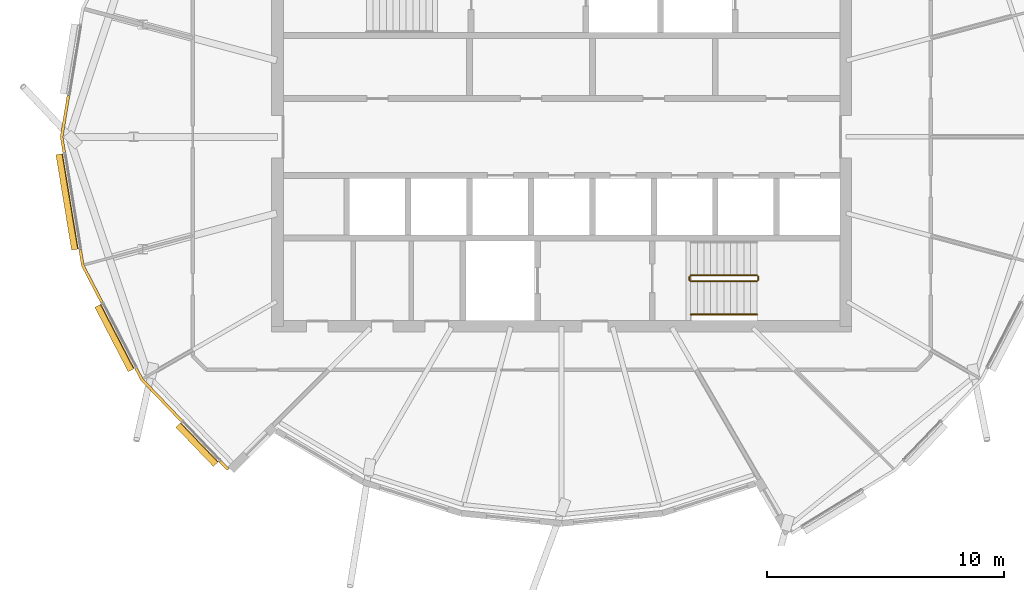
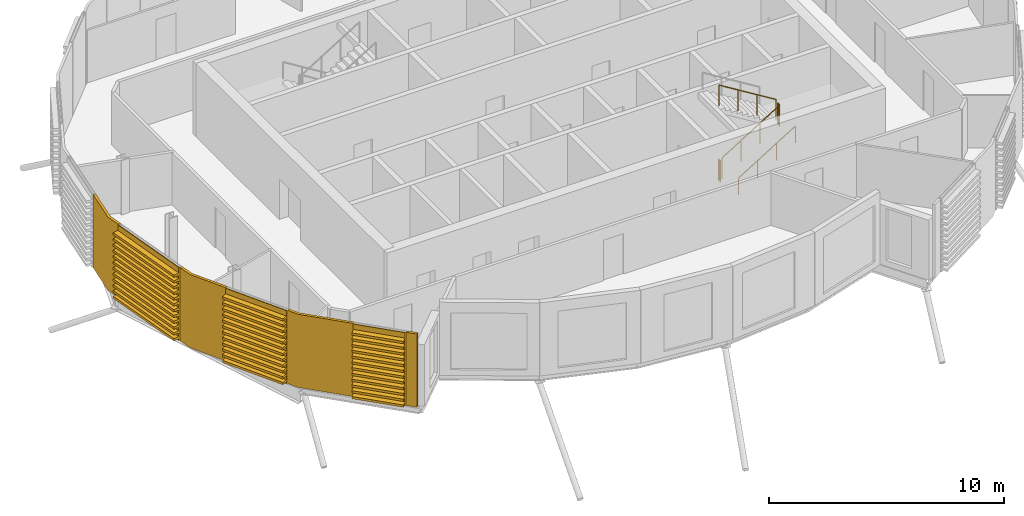
# One storey, part 35 of 41: 7 coverings, 5 railings.
"""IFC4 building model written with IfcOpenShell, lengths in metres."""

import ifcopenshell
import ifcopenshell.guid

model = None  # the IFC model being written
_history = None  # IfcOwnerHistory: only IFC2X3 demands one
_inside = {}  # id of a spatial element -> (the spatial element, [elements in it])
_under = {}  # id of a project, library or spatial element -> (it, [spatial elements below it])
_declared = {}  # id of a project -> (the project, [libraries it declares])
_typed = {}  # id of a type object -> (the type object, [elements of that type])
_made_of = {}  # id of a material, layer set ... -> (it, [elements and type objects made of it])


def new_model(schema):
    """Start an empty IFC model of exactly this schema.

    Asked for "IFC4X3", IfcOpenShell would pick the latest addendum, in which some entities
    have other attributes; the version numbers below select the first issue.
    IFC2X3 requires an IfcOwnerHistory on every rooted entity: one is made here for all.
    """
    global model, _history
    if schema == "IFC4X3":
        model = ifcopenshell.file(schema_version=(4, 3, 0, 0))
    else:
        model = ifcopenshell.file(schema=schema)
    _inside.clear()
    _under.clear()
    _declared.clear()
    _typed.clear()
    _made_of.clear()
    _history = None
    if model.schema == "IFC2X3":
        org = make("IfcOrganization", Name="unknown")
        user = make(
            "IfcPersonAndOrganization",
            ThePerson=make("IfcPerson", FamilyName="unknown"),
            TheOrganization=org,
        )
        app = make(
            "IfcApplication",
            ApplicationDeveloper=org,
            Version="unknown",
            ApplicationFullName="unknown",
            ApplicationIdentifier="unknown",
        )
        _history = make(
            "IfcOwnerHistory",
            OwningUser=user,
            OwningApplication=app,
            ChangeAction="ADDED",
            CreationDate=0,
        )
    return model


def make(cls, **values):
    """One entity of the class cls with the attributes given. An attribute that is None is left unset."""
    return model.create_entity(
        cls, **{name: value for name, value in values.items() if value is not None}
    )


def rooted(cls, **values):
    """An entity with a GlobalId (a new one), such as an element, a storey or a relation."""
    return make(cls, GlobalId=ifcopenshell.guid.new(), OwnerHistory=_history, **values)


def si_unit(unit_type, name, prefix=None):
    """IfcSIUnit, for example si_unit("LENGTHUNIT", "METRE", prefix="MILLI")."""
    return make("IfcSIUnit", UnitType=unit_type, Prefix=prefix, Name=name)


def assignment(units):
    """IfcUnitAssignment: the units of a project."""
    return None if units is None else make("IfcUnitAssignment", Units=units)


def point(xyz):
    """IfcCartesianPoint."""
    return None if xyz is None else make("IfcCartesianPoint", Coordinates=xyz)


def direction(xyz):
    """IfcDirection."""
    return None if xyz is None else make("IfcDirection", DirectionRatios=xyz)


def frame(location, z_axis=None, x_axis=None):
    """IfcAxis2Placement3D, a coordinate frame: its origin and axes. An axis left out is left unset."""
    return make(
        "IfcAxis2Placement3D",
        Location=point(location),
        Axis=direction(z_axis),
        RefDirection=direction(x_axis),
    )


def frame_2d(location, x_axis=None):
    """IfcAxis2Placement2D, a coordinate frame in the plane: its origin and x axis."""
    return make(
        "IfcAxis2Placement2D", Location=point(location), RefDirection=direction(x_axis)
    )


def origin():
    """The frame at (0, 0, 0) with its axes left unset."""
    return frame((0.0, 0.0, 0.0))


def origin_2d():
    """The frame at (0, 0) in the plane with its x axis left unset."""
    return frame_2d((0.0, 0.0))


def place(relative_to, where):
    """IfcLocalPlacement: puts the frame where relative to a parent placement (None: the world)."""
    return make(
        "IfcLocalPlacement", PlacementRelTo=relative_to, RelativePlacement=where
    )


def context(
    kind, dimensions, precision=None, world=None, true_north=None, identifier=None
):
    """IfcGeometricRepresentationContext, for example the 3D "Model" context."""
    return make(
        "IfcGeometricRepresentationContext",
        ContextIdentifier=identifier,
        ContextType=kind,
        CoordinateSpaceDimension=dimensions,
        Precision=precision,
        WorldCoordinateSystem=world,
        TrueNorth=true_north,
    )


def subcontext(parent, identifier, kind, view, scale=None):
    """IfcGeometricRepresentationSubContext, for example "Body" below "Model"."""
    return make(
        "IfcGeometricRepresentationSubContext",
        ContextIdentifier=identifier,
        ContextType=kind,
        ParentContext=parent,
        TargetScale=scale,
        TargetView=view,
    )


def project(units=None, contexts=None):
    """IfcProject with its units and contexts."""
    return rooted(
        "IfcProject",
        Name="project",
        RepresentationContexts=contexts,
        UnitsInContext=assignment(units),
    )


def spatial(cls, under=None, at=None, **own):
    """A site, building, storey or space (cls), placed at a placement, below another one or the project."""
    s = rooted(cls, ObjectPlacement=at, **own)
    if under is not None:
        _under.setdefault(under.id(), (under, []))[1].append(s)
    return s


def polyline(points):
    """IfcPolyline through the points."""
    return make("IfcPolyline", Points=[point(p) for p in points])


def profile(cls, at=None, kind="AREA", **sizes):
    """A parametric profile (cls). Its sizes go by their IFC names, for example OverallWidth=200.0."""
    return make(cls, ProfileType=kind, Position=at, **sizes)


def circle(**sizes):
    """IfcCircleProfileDef."""
    return profile("IfcCircleProfileDef", **sizes)


def outline(outer, holes=None, kind="AREA"):
    """IfcArbitraryClosedProfileDef: a profile drawn as a closed curve; with holes, ...WithVoids."""
    if holes is None:
        return make("IfcArbitraryClosedProfileDef", ProfileType=kind, OuterCurve=outer)
    return make(
        "IfcArbitraryProfileDefWithVoids",
        ProfileType=kind,
        OuterCurve=outer,
        InnerCurves=holes,
    )


def extrude(swept, where, along, depth):
    """IfcExtrudedAreaSolid: the profile swept, set in the frame where, extruded along a direction by depth."""
    return make(
        "IfcExtrudedAreaSolid",
        SweptArea=swept,
        Position=where,
        ExtrudedDirection=direction(along),
        Depth=depth,
    )


def shape(context_of_items, identifier, shape_type, items):
    """IfcShapeRepresentation: the items that make up one representation, for example the "Body"."""
    return make(
        "IfcShapeRepresentation",
        ContextOfItems=context_of_items,
        RepresentationIdentifier=identifier,
        RepresentationType=shape_type,
        Items=items,
    )


def material(Name=None, Category=None):
    """IfcMaterial."""
    return make("IfcMaterial", Name=Name, Category=Category)


def layer(
    of_material, thickness, ventilated=None, Name=None, Category=None, Priority=None
):
    """IfcMaterialLayer: one layer of a wall or slab, of a material (None: an air gap)."""
    return make(
        "IfcMaterialLayer",
        Material=of_material,
        LayerThickness=thickness,
        IsVentilated=ventilated,
        Name=Name,
        Category=Category,
        Priority=Priority,
    )


def layer_set(layers, Name=None):
    """IfcMaterialLayerSet."""
    return make("IfcMaterialLayerSet", MaterialLayers=layers, LayerSetName=Name)


def material_profile(
    of_material, cross_section, Name=None, Category=None, Priority=None
):
    """IfcMaterialProfile: a cross section and its material."""
    return make(
        "IfcMaterialProfile",
        Name=Name,
        Material=of_material,
        Profile=cross_section,
        Priority=Priority,
        Category=Category,
    )


def profile_set(profiles, Name=None, composite=None):
    """IfcMaterialProfileSet."""
    return make(
        "IfcMaterialProfileSet",
        Name=Name,
        MaterialProfiles=profiles,
        CompositeProfile=composite,
    )


def made_of(thing, what):
    """Note that an element or type object is made of a material, layer set ...; save() writes the relation."""
    if what is not None:
        _made_of.setdefault(what.id(), (what, []))[1].append(thing)
    return thing


def type_object(cls, material=None, **own):
    """A type object (cls), such as IfcWallType, which elements share."""
    return made_of(rooted(cls, **own), material)


def element(
    cls,
    number,
    at=None,
    inside=None,
    cuts=None,
    type_object=None,
    material=None,
    context=None,
    identifier="Body",
    shape_type=None,
    held_by="IfcProductDefinitionShape",
    body=None,
    shapes=None,
    **own,
):
    """One element of the class cls, such as IfcWall. Its Tag is "e" and its number.

    at: its placement. inside: the storey or other place that contains it. cuts: it is an
    opening in that element (IfcRelVoidsElement). A single representation is given by context,
    identifier, shape_type and body (its items); several are given by shapes. held_by: the class
    of the entity that holds the representations. save() writes the other relations.
    """
    e = rooted(cls, Tag="e%d" % number, ObjectPlacement=at, **own)
    if body is not None:
        shapes = [shape(context, identifier, shape_type, body)]
    if shapes is not None:
        e.Representation = make(held_by, Representations=shapes)
    if inside is not None:
        _inside.setdefault(inside.id(), (inside, []))[1].append(e)
    if cuts is not None:
        rooted(
            "IfcRelVoidsElement", RelatingBuildingElement=cuts, RelatedOpeningElement=e
        )
    if type_object is not None:
        _typed.setdefault(type_object.id(), (type_object, []))[1].append(e)
    return made_of(e, material)


def aggregate(whole, parts):
    """IfcRelAggregates: a whole, such as a stair, and the parts it consists of."""
    return rooted("IfcRelAggregates", RelatingObject=whole, RelatedObjects=parts)


def save(model, path):
    """Write the relations noted so far, then the file.

    IfcRelAggregates (storeys below a building ...), IfcRelContainedInSpatialStructure (elements
    in a storey), IfcRelDefinesByType, IfcRelAssociatesMaterial and IfcRelDeclares: one each for
    every whole, place, type object, material and project.
    """
    for whole, parts in _under.values():
        aggregate(whole, parts)
    for where, things in _inside.values():
        rooted(
            "IfcRelContainedInSpatialStructure",
            RelatedElements=things,
            RelatingStructure=where,
        )
    for kind, things in _typed.values():
        rooted("IfcRelDefinesByType", RelatedObjects=things, RelatingType=kind)
    for what, things in _made_of.values():
        rooted("IfcRelAssociatesMaterial", RelatedObjects=things, RelatingMaterial=what)
    for by, libraries in _declared.values():
        rooted("IfcRelDeclares", RelatingContext=by, RelatedDefinitions=libraries)
    model.write(path)


model = new_model("IFC4")

# Units and contexts
model_context = context("Model", 3, precision=1e-05, world=origin(), true_north=direction((0.0, 1.0)))
body_context = subcontext(model_context, "Body", "Model", "MODEL_VIEW")
ifc_project = project(units=[si_unit("LENGTHUNIT", "METRE"), si_unit("AREAUNIT", "SQUARE_METRE"), si_unit("VOLUMEUNIT", "CUBIC_METRE"), si_unit("PLANEANGLEUNIT", "RADIAN"), si_unit("MASSUNIT", "GRAM", prefix="KILO")], contexts=[model_context])

# Site, building, storey
site_placement = place(None, origin())
site = spatial("IfcSite", under=ifc_project, at=site_placement, CompositionType="ELEMENT")
building_placement = place(site_placement, origin())
building = spatial("IfcBuilding", under=site, at=building_placement, Name="Rimbun Link Towers", CompositionType="ELEMENT")
storey_placement = place(building_placement, frame((0.0, 0.0, 214.300048828125)))
storey = spatial("IfcBuildingStorey", under=building, at=storey_placement, Name="L52", CompositionType="ELEMENT", Elevation=214.300048828125)

# Coverings
ifc_material_1 = material(Name="Terracotta", Category="masonry")
ifc_layer = layer(ifc_material_1, 0.1201171875)
ifc_layer_set = layer_set([ifc_layer], Name="LINK PIER terracotta cladding 120")
covering_type_1 = type_object("IfcCoveringType", Name="LINK PIER terracotta cladding 120", PredefinedType="CLADDING", material=ifc_layer_set)
covering_1_placement = place(storey_placement, origin())
element("IfcCovering", 1, at=covering_1_placement, inside=storey, type_object=covering_type_1, Name="LINK PIER cladding", PredefinedType="CLADDING", context=body_context, shape_type="SweptSolid", body=[
    extrude(outline(polyline([(-52.701416015625, -0.6611328125), (-52.810302734375, 0.0), (-52.52294921875, 1.74658203125), (-52.641357421875, 1.76611328125), (-52.931884765625, 0.0), (-52.81982421875, -0.6806640625), (-52.701416015625, -0.6611328125)])), origin(), (0.0, 0.0, 1.0), 3.800048828125),
])
covering_2_placement = place(storey_placement, origin())
element("IfcCovering", 2, at=covering_2_placement, inside=storey, type_object=covering_type_1, Name="LINK PIER cladding", PredefinedType="CLADDING", context=body_context, shape_type="SweptSolid", body=[
    extrude(outline(polyline([(-51.10791015625, -6.976806640625), (-51.92138671875, -5.40478515625), (-52.030029296875, -4.743896484375), (-52.1484375, -4.76318359375), (-52.03662109375, -5.443115234375), (-51.214599609375, -7.031982421875), (-51.10791015625, -6.976806640625)])), origin(), (0.0, 0.0, 1.0), 3.800048828125),
])
covering_3_placement = place(storey_placement, origin())
element("IfcCovering", 3, at=covering_3_placement, inside=storey, type_object=covering_type_1, Name="LINK PIER cladding", PredefinedType="CLADDING", context=body_context, shape_type="SweptSolid", body=[
    extrude(outline(polyline([(-45.797119140625, -14.004638671875), (-46.13623046875, -13.651123046875), (-46.222900390625, -13.734130859375), (-45.8837890625, -14.087890625), (-45.797119140625, -14.004638671875)])), origin(), (0.0, 0.0, 1.0), 3.800048828125),
])
covering_4_placement = place(storey_placement, origin())
element("IfcCovering", 4, at=covering_4_placement, inside=storey, type_object=covering_type_1, Name="LINK PIER cladding", PredefinedType="CLADDING", context=body_context, shape_type="SweptSolid", body=[
    extrude(outline(polyline([(-47.760009765625, -11.957275390625), (-49.434814453125, -10.21044921875), (-49.673828125, -9.74853515625), (-49.780517578125, -9.8037109375), (-49.533447265625, -10.281005859375), (-47.8466796875, -12.040283203125), (-47.760009765625, -11.957275390625)])), origin(), (0.0, 0.0, 1.0), 3.800048828125),
])

# Railings
ifc_material_2 = material(Name="Stainless steel grade 316", Category="steel")
railing_type_1 = type_object("IfcRailingType", Name="Stair guard", PredefinedType="GUARDRAIL", material=ifc_material_2)
railing_1_placement = place(storey_placement, frame((-26.300048828125, -6.10009765625, 0.172607421875)))
element("IfcRailing", 5, at=railing_1_placement, inside=storey, type_object=railing_type_1, Name="L52 ST2 stair guard 1", PredefinedType="GUARDRAIL", context=body_context, shape_type="SweptSolid", body=[
    extrude(circle(Radius=0.02392578125, at=origin_2d()), frame((0.0, 0.0, 1.076171875), z_axis=(0.851089632645, 0.0, 0.525020415988), x_axis=(0.0, 1.0, 0.0)), (0.0, 0.0, 1.0), 3.2900390625),
    extrude(circle(Radius=0.02099609375, at=origin_2d()), origin(), (0.0, 0.0, 1.0), 1.052001953125),
    extrude(circle(Radius=0.02099609375, at=origin_2d()), frame((0.933349609375, 0.0, 0.57568359375)), (0.0, 0.0, 1.0), 1.052001953125),
    extrude(circle(Radius=0.02099609375, at=origin_2d()), frame((1.86669921875, 0.0, 1.151611328125)), (0.0, 0.0, 1.0), 1.052001953125),
    extrude(circle(Radius=0.02099609375, at=origin_2d()), frame((2.800048828125, 0.0, 1.727294921875)), (0.0, 0.0, 1.0), 1.052001953125),
])
railing_2_placement = place(storey_placement, frame((-23.449951171875, -6.050048828125, 1.89990234375)))
element("IfcRailing", 6, at=railing_2_placement, inside=storey, type_object=railing_type_1, Name="L52 ST2 stair guard 2", PredefinedType="GUARDRAIL", context=body_context, shape_type="SweptSolid", body=[
    extrude(circle(Radius=0.02392578125, at=origin_2d()), frame((0.0, 0.0, 1.076171875), z_axis=(0.0, 1.0, 0.0), x_axis=(-1.0, 0.0, 0.0)), (0.0, 0.0, 1.0), 0.150146484375),
    extrude(circle(Radius=0.02099609375, at=origin_2d()), origin(), (0.0, 0.0, 1.0), 1.052001953125),
    extrude(circle(Radius=0.02099609375, at=origin_2d()), frame((0.0, 0.150146484375, 0.0)), (0.0, 0.0, 1.0), 1.052001953125),
])
railing_3_placement = place(storey_placement, frame((-23.5, -5.85009765625, 2.07275390625)))
element("IfcRailing", 7, at=railing_3_placement, inside=storey, type_object=railing_type_1, Name="L52 ST2 stair guard 3", PredefinedType="GUARDRAIL", context=body_context, shape_type="SweptSolid", body=[
    extrude(circle(Radius=0.02392578125, at=origin_2d()), frame((0.0, 0.0, 1.076171875), z_axis=(-0.851089632645, 0.0, 0.525020415988), x_axis=(0.0, -1.0, 0.0)), (0.0, 0.0, 1.0), 3.2900390625),
    extrude(circle(Radius=0.02099609375, at=origin_2d()), origin(), (0.0, 0.0, 1.0), 1.052001953125),
    extrude(circle(Radius=0.02099609375, at=origin_2d()), frame((-0.933349609375, 0.0, 0.57568359375)), (0.0, 0.0, 1.0), 1.052001953125),
    extrude(circle(Radius=0.02099609375, at=origin_2d()), frame((-1.86669921875, 0.0, 1.151611328125)), (0.0, 0.0, 1.0), 1.052001953125),
    extrude(circle(Radius=0.02099609375, at=origin_2d()), frame((-2.800048828125, 0.0, 1.727294921875)), (0.0, 0.0, 1.0), 1.052001953125),
])
railing_4_placement = place(storey_placement, frame((-26.35009765625, -6.050048828125, 0.0)))
element("IfcRailing", 8, at=railing_4_placement, inside=storey, type_object=railing_type_1, Name="L52 ST2 stair guard 4", PredefinedType="GUARDRAIL", context=body_context, shape_type="SweptSolid", body=[
    extrude(circle(Radius=0.02392578125, at=origin_2d()), frame((0.0, 0.0, 1.076171875), z_axis=(0.0, 1.0, 0.0), x_axis=(-1.0, 0.0, 0.0)), (0.0, 0.0, 1.0), 0.150146484375),
    extrude(circle(Radius=0.02099609375, at=origin_2d()), origin(), (0.0, 0.0, 1.0), 1.052001953125),
    extrude(circle(Radius=0.02099609375, at=origin_2d()), frame((0.0, 0.150146484375, 0.0)), (0.0, 0.0, 1.0), 1.052001953125),
])
ifc_material_3 = material(Name="Stainless steel grade 316", Category="steel")
railing_type_2 = type_object("IfcRailingType", Name="Stair handrail", PredefinedType="HANDRAIL", material=ifc_material_3)
railing_5_placement = place(storey_placement, frame((-26.300048828125, -7.5, 0.172607421875)))
element("IfcRailing", 9, at=railing_5_placement, inside=storey, type_object=railing_type_2, Name="L52 ST2 stair handrail 1", PredefinedType="HANDRAIL", context=body_context, shape_type="SweptSolid", body=[
    extrude(circle(Radius=0.02392578125, at=origin_2d()), frame((0.0, 0.0, 0.8759765625), z_axis=(0.851089632645, 0.0, 0.525020415988), x_axis=(0.0, 1.0, 0.0)), (0.0, 0.0, 1.0), 3.2900390625),
    extrude(circle(Radius=0.02099609375, at=origin_2d()), origin(), (0.0, 0.0, 1.0), 0.851806640625),
    extrude(circle(Radius=0.02099609375, at=origin_2d()), frame((0.933349609375, 0.0, 0.57568359375)), (0.0, 0.0, 1.0), 0.851806640625),
    extrude(circle(Radius=0.02099609375, at=origin_2d()), frame((1.86669921875, 0.0, 1.151611328125)), (0.0, 0.0, 1.0), 0.851806640625),
    extrude(circle(Radius=0.02099609375, at=origin_2d()), frame((2.800048828125, 0.0, 1.727294921875)), (0.0, 0.0, 1.0), 0.851806640625),
])

# Coverings
ifc_material_4 = material(Name="Terracotta", Category="masonry")
ifc_material_profile = material_profile(ifc_material_4, outline(polyline([(0.123046875, 0.0), (0.1630859375, 0.0), (0.1630859375, 0.10009765625), (0.423095703125, 0.10009765625), (0.423095703125, 0.219970703125), (0.1630859375, 0.219970703125), (0.1630859375, 0.39990234375), (0.423095703125, 0.39990234375), (0.423095703125, 0.52001953125), (0.1630859375, 0.52001953125), (0.1630859375, 0.699951171875), (0.423095703125, 0.699951171875), (0.423095703125, 0.820068359375), (0.1630859375, 0.820068359375), (0.1630859375, 1.0), (0.423095703125, 1.0), (0.423095703125, 1.1201171875), (0.1630859375, 1.1201171875), (0.1630859375, 1.300048828125), (0.423095703125, 1.300048828125), (0.423095703125, 1.419921875), (0.1630859375, 1.419921875), (0.1630859375, 1.60009765625), (0.423095703125, 1.60009765625), (0.423095703125, 1.719970703125), (0.1630859375, 1.719970703125), (0.1630859375, 1.89990234375), (0.423095703125, 1.89990234375), (0.423095703125, 2.02001953125), (0.1630859375, 2.02001953125), (0.1630859375, 2.199951171875), (0.423095703125, 2.199951171875), (0.423095703125, 2.320068359375), (0.1630859375, 2.320068359375), (0.1630859375, 2.5), (0.423095703125, 2.5), (0.423095703125, 2.6201171875), (0.1630859375, 2.6201171875), (0.1630859375, 2.800048828125), (0.423095703125, 2.800048828125), (0.423095703125, 2.919921875), (0.1630859375, 2.919921875), (0.1630859375, 3.10009765625), (0.423095703125, 3.10009765625), (0.423095703125, 3.219970703125), (0.1630859375, 3.219970703125), (0.1630859375, 3.39990234375), (0.423095703125, 3.39990234375), (0.423095703125, 3.52001953125), (0.1630859375, 3.52001953125), (0.1630859375, 3.800048828125), (0.123046875, 3.800048828125), (0.123046875, 0.0)])), Name="BAGUETTE 120X300")
ifc_profile_set = profile_set([ifc_material_profile], Name="Terracotta")
covering_type_2 = type_object("IfcCoveringType", Name="TERRACOTTA BAGUETTE 120X300 H3800", PredefinedType="CLADDING", material=ifc_profile_set)
covering_5_placement = place(storey_placement, frame((-52.034912109375, -4.714111328125, 0.0), z_axis=(-0.162262504225, 0.986747627168, 0.0), x_axis=(-0.986747627168, -0.162262504225, 0.0)))
element("IfcCovering", 10, at=covering_5_placement, inside=storey, type_object=covering_type_2, Name="TERRACOTTA BAGUETTE", PredefinedType="CLADDING", context=body_context, shape_type="SweptSolid", body=[
    extrude(outline(polyline([(0.123046875, 0.0), (0.1630859375, 0.0), (0.1630859375, 0.10009765625), (0.423095703125, 0.10009765625), (0.423095703125, 0.219970703125), (0.1630859375, 0.219970703125), (0.1630859375, 0.39990234375), (0.423095703125, 0.39990234375), (0.423095703125, 0.52001953125), (0.1630859375, 0.52001953125), (0.1630859375, 0.699951171875), (0.423095703125, 0.699951171875), (0.423095703125, 0.820068359375), (0.1630859375, 0.820068359375), (0.1630859375, 1.0), (0.423095703125, 1.0), (0.423095703125, 1.1201171875), (0.1630859375, 1.1201171875), (0.1630859375, 1.300048828125), (0.423095703125, 1.300048828125), (0.423095703125, 1.419921875), (0.1630859375, 1.419921875), (0.1630859375, 1.60009765625), (0.423095703125, 1.60009765625), (0.423095703125, 1.719970703125), (0.1630859375, 1.719970703125), (0.1630859375, 1.89990234375), (0.423095703125, 1.89990234375), (0.423095703125, 2.02001953125), (0.1630859375, 2.02001953125), (0.1630859375, 2.199951171875), (0.423095703125, 2.199951171875), (0.423095703125, 2.320068359375), (0.1630859375, 2.320068359375), (0.1630859375, 2.5), (0.423095703125, 2.5), (0.423095703125, 2.6201171875), (0.1630859375, 2.6201171875), (0.1630859375, 2.800048828125), (0.423095703125, 2.800048828125), (0.423095703125, 2.919921875), (0.1630859375, 2.919921875), (0.1630859375, 3.10009765625), (0.423095703125, 3.10009765625), (0.423095703125, 3.219970703125), (0.1630859375, 3.219970703125), (0.1630859375, 3.39990234375), (0.423095703125, 3.39990234375), (0.423095703125, 3.52001953125), (0.1630859375, 3.52001953125), (0.1630859375, 3.800048828125), (0.123046875, 3.800048828125), (0.123046875, 0.0)])), origin(), (0.0, 0.0, 1.0), 4.077392578125),
])
covering_6_placement = place(storey_placement, frame((-49.687744140625, -9.721923828125, 0.0), z_axis=(-0.459550949069, 0.888151408945, 0.0), x_axis=(-0.888151408945, -0.459550949069, 0.0)))
element("IfcCovering", 11, at=covering_6_placement, inside=storey, type_object=covering_type_2, Name="TERRACOTTA BAGUETTE", PredefinedType="CLADDING", context=body_context, shape_type="SweptSolid", body=[
    extrude(outline(polyline([(0.123046875, 0.0), (0.1630859375, 0.0), (0.1630859375, 0.10009765625), (0.423095703125, 0.10009765625), (0.423095703125, 0.219970703125), (0.1630859375, 0.219970703125), (0.1630859375, 0.39990234375), (0.423095703125, 0.39990234375), (0.423095703125, 0.52001953125), (0.1630859375, 0.52001953125), (0.1630859375, 0.699951171875), (0.423095703125, 0.699951171875), (0.423095703125, 0.820068359375), (0.1630859375, 0.820068359375), (0.1630859375, 1.0), (0.423095703125, 1.0), (0.423095703125, 1.1201171875), (0.1630859375, 1.1201171875), (0.1630859375, 1.300048828125), (0.423095703125, 1.300048828125), (0.423095703125, 1.419921875), (0.1630859375, 1.419921875), (0.1630859375, 1.60009765625), (0.423095703125, 1.60009765625), (0.423095703125, 1.719970703125), (0.1630859375, 1.719970703125), (0.1630859375, 1.89990234375), (0.423095703125, 1.89990234375), (0.423095703125, 2.02001953125), (0.1630859375, 2.02001953125), (0.1630859375, 2.199951171875), (0.423095703125, 2.199951171875), (0.423095703125, 2.320068359375), (0.1630859375, 2.320068359375), (0.1630859375, 2.5), (0.423095703125, 2.5), (0.423095703125, 2.6201171875), (0.1630859375, 2.6201171875), (0.1630859375, 2.800048828125), (0.423095703125, 2.800048828125), (0.423095703125, 2.919921875), (0.1630859375, 2.919921875), (0.1630859375, 3.10009765625), (0.423095703125, 3.10009765625), (0.423095703125, 3.219970703125), (0.1630859375, 3.219970703125), (0.1630859375, 3.39990234375), (0.423095703125, 3.39990234375), (0.423095703125, 3.52001953125), (0.1630859375, 3.52001953125), (0.1630859375, 3.800048828125), (0.123046875, 3.800048828125), (0.123046875, 0.0)])), origin(), (0.0, 0.0, 1.0), 3.060546875),
])
covering_7_placement = place(storey_placement, frame((-46.156982421875, -13.62939453125, 0.0), z_axis=(-0.692053780348, 0.721845942779, 0.0), x_axis=(-0.721845942779, -0.692053780348, 0.0)))
element("IfcCovering", 12, at=covering_7_placement, inside=storey, type_object=covering_type_2, Name="TERRACOTTA BAGUETTE", PredefinedType="CLADDING", context=body_context, shape_type="SweptSolid", body=[
    extrude(outline(polyline([(0.123046875, 0.0), (0.1630859375, 0.0), (0.1630859375, 0.10009765625), (0.423095703125, 0.10009765625), (0.423095703125, 0.219970703125), (0.1630859375, 0.219970703125), (0.1630859375, 0.39990234375), (0.423095703125, 0.39990234375), (0.423095703125, 0.52001953125), (0.1630859375, 0.52001953125), (0.1630859375, 0.699951171875), (0.423095703125, 0.699951171875), (0.423095703125, 0.820068359375), (0.1630859375, 0.820068359375), (0.1630859375, 1.0), (0.423095703125, 1.0), (0.423095703125, 1.1201171875), (0.1630859375, 1.1201171875), (0.1630859375, 1.300048828125), (0.423095703125, 1.300048828125), (0.423095703125, 1.419921875), (0.1630859375, 1.419921875), (0.1630859375, 1.60009765625), (0.423095703125, 1.60009765625), (0.423095703125, 1.719970703125), (0.1630859375, 1.719970703125), (0.1630859375, 1.89990234375), (0.423095703125, 1.89990234375), (0.423095703125, 2.02001953125), (0.1630859375, 2.02001953125), (0.1630859375, 2.199951171875), (0.423095703125, 2.199951171875), (0.423095703125, 2.320068359375), (0.1630859375, 2.320068359375), (0.1630859375, 2.5), (0.423095703125, 2.5), (0.423095703125, 2.6201171875), (0.1630859375, 2.6201171875), (0.1630859375, 2.800048828125), (0.423095703125, 2.800048828125), (0.423095703125, 2.919921875), (0.1630859375, 2.919921875), (0.1630859375, 3.10009765625), (0.423095703125, 3.10009765625), (0.423095703125, 3.219970703125), (0.1630859375, 3.219970703125), (0.1630859375, 3.39990234375), (0.423095703125, 3.39990234375), (0.423095703125, 3.52001953125), (0.1630859375, 3.52001953125), (0.1630859375, 3.800048828125), (0.123046875, 3.800048828125), (0.123046875, 0.0)])), origin(), (0.0, 0.0, 1.0), 2.286376953125),
])

save(model, "model.ifc")
